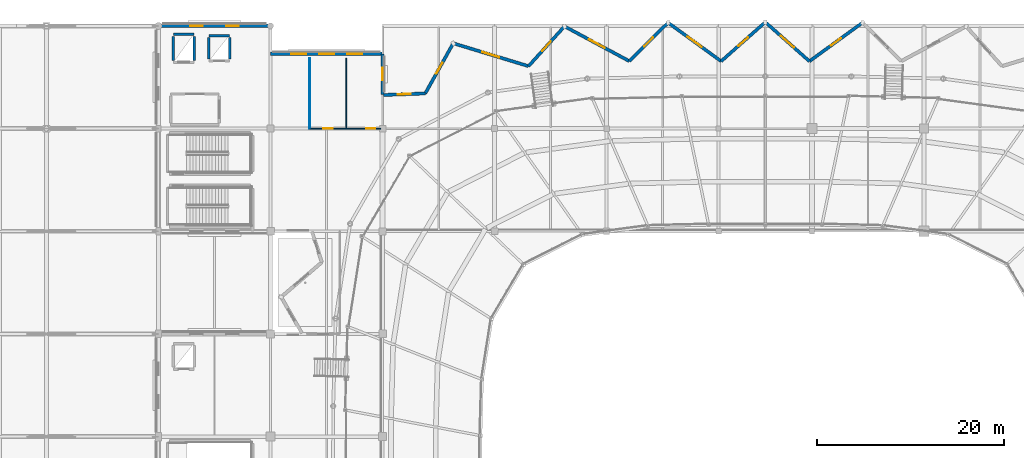
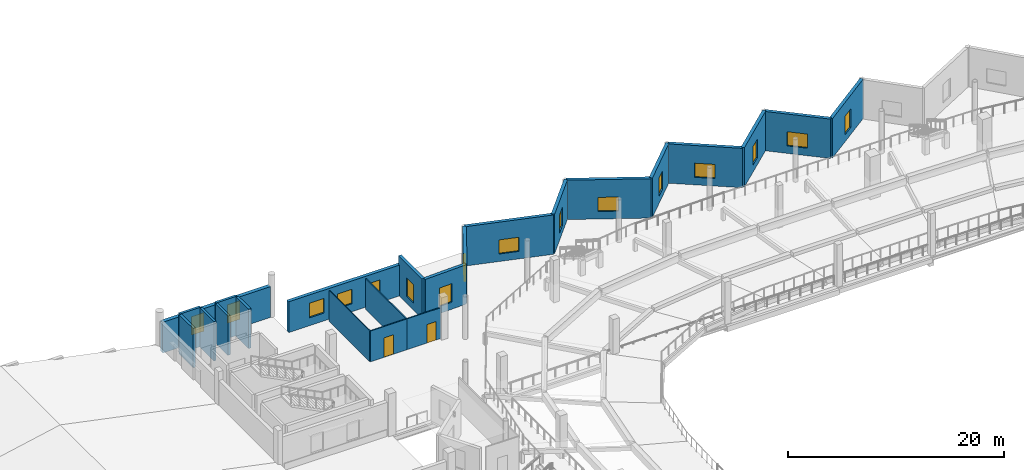
# One storey, part 55 of 77: 23 walls, 16 windows, 2 doors, 18 openings.
"""IFC4 building model written with IfcOpenShell, lengths in metres."""

from ifc_helpers import new_model, si_unit, direction, frame, frame_2d, origin, place, context, subcontext, project, spatial, rectangle, extrude, material, layer, layer_set, type_object, element, fill, save


model = new_model("IFC4")

# Units and contexts
model_context = context("Model", 3, precision=1e-05, world=origin(), true_north=direction((0.0, 1.0)))
body_context = subcontext(model_context, "Body", "Model", "MODEL_VIEW")
ifc_project = project(units=[si_unit("LENGTHUNIT", "METRE"), si_unit("AREAUNIT", "SQUARE_METRE"), si_unit("VOLUMEUNIT", "CUBIC_METRE"), si_unit("PLANEANGLEUNIT", "RADIAN"), si_unit("MASSUNIT", "GRAM", prefix="KILO")], contexts=[model_context])

# Site, building, storey
site_placement = place(None, origin())
site = spatial("IfcSite", under=ifc_project, at=site_placement, CompositionType="ELEMENT")
building_placement = place(site_placement, origin())
building = spatial("IfcBuilding", under=site, at=building_placement, Name="Luwafu Chhajja Arena", CompositionType="ELEMENT")
storey_placement = place(building_placement, frame((0.0, 0.0, 14.699951171875)))
storey = spatial("IfcBuildingStorey", under=building, at=storey_placement, Name="L03", CompositionType="ELEMENT", Elevation=14.699951171875)

# Wall
ifc_material_1 = material(Name="Gypsum plasterboard partition")
ifc_layer_1 = layer(ifc_material_1, 0.10009765625, Name="Gypsum plasterboard partition")
ifc_layer_set_1 = layer_set([ifc_layer_1], Name="Gypsum plasterboard partition")
wall_type_1 = type_object("IfcWallType", Name="Drywall Lining Partition 100", PredefinedType="PARTITIONING", material=ifc_layer_set_1)
wall_1_placement = place(storey_placement, frame((50.199951171875, 88.0, 0.0), z_axis=(0.0, 0.0, 1.0), x_axis=(0.0, 1.0, 0.0)))
element("IfcWall", 1, at=wall_1_placement, inside=storey, type_object=wall_type_1, Name="L03 Internal Partition 0296", PredefinedType="PARTITIONING", context=body_context, shape_type="SweptSolid", body=[
    extrude(rectangle(XDim=7.52001953125, YDim=0.10009765625, at=frame_2d((3.760009765625, 0.0))), origin(), (0.0, 0.0, 1.0), 3.489990234375),
])

# Wall, opening, door
ifc_material_2 = material(Name="Acoustic metal-stud gypsum board")
ifc_layer_2 = layer(ifc_material_2, 0.1201171875, Name="Acoustic metal-stud gypsum board")
ifc_layer_set_2 = layer_set([ifc_layer_2], Name="Acoustic metal-stud gypsum board")
wall_type_2 = type_object("IfcWallType", Name="Internal Room Partition 120", PredefinedType="PARTITIONING", material=ifc_layer_set_2)
wall_2_placement = place(storey_placement, frame((50.199951171875, 88.0, 0.0), z_axis=(0.0, 0.0, 1.0), x_axis=(1.0, 0.0, 0.0)))
wall_2 = element("IfcWall", 2, at=wall_2_placement, inside=storey, type_object=wall_type_2, Name="L03 Internal Partition 0294", PredefinedType="PARTITIONING", context=body_context, shape_type="SweptSolid", body=[
    extrude(rectangle(XDim=3.900146484375, YDim=0.1201171875, at=frame_2d((1.9501953125, 0.0))), origin(), (0.0, 0.0, 1.0), 3.489990234375),
])
opening_1_placement = place(wall_2_placement, frame((1.429931640625, 0.0, 0.0)))
opening_1 = element("IfcOpeningElement", 3, at=opening_1_placement, cuts=wall_2, Name="Opening DR-24", PredefinedType="OPENING", context=body_context, shape_type="SweptSolid", body=[
    extrude(rectangle(XDim=1.0400390625, YDim=2.199951171875, at=frame_2d((0.52001953125, 1.10009765625))), frame((0.0, 0.070068359375, 0.0), z_axis=(0.0, -1.0, 0.0), x_axis=(1.0, 0.0, 0.0)), (0.0, 0.0, 1.0), 0.14013671875),
])
ifc_material_3 = material(Name="Hardwood flush classroom door", Category="wood")
door_type_1 = type_object("IfcDoorType", Name="DR-24", OperationType="NOTDEFINED", PredefinedType="DOOR", material=ifc_material_3)
door_1_placement = place(opening_1_placement, origin())
door_1 = element("IfcDoor", 4, at=door_1_placement, inside=storey, type_object=door_type_1, Name="L03 Interior Door L03-D022", OperationType="SINGLE_SWING_RIGHT", OverallHeight=2.199951171875, OverallWidth=1.0400390625, PredefinedType="DOOR", context=body_context, shape_type="SweptSolid", body=[
    extrude(rectangle(XDim=1.0400390625, YDim=2.199951171875, at=frame_2d((0.52001953125, 1.10009765625))), frame((0.0, 0.02490234375, 0.0), z_axis=(0.0, -1.0, 0.0), x_axis=(1.0, 0.0, 0.0)), (0.0, 0.0, 1.0), 0.050048828125),
])
fill(opening_1, door_1)

wall_3_placement = place(storey_placement, frame((54.10009765625, 88.0, 0.0), z_axis=(0.0, 0.0, 1.0), x_axis=(1.0, 0.0, 0.0)))
wall_3 = element("IfcWall", 5, at=wall_3_placement, inside=storey, type_object=wall_type_2, Name="L03 Internal Partition 0295", PredefinedType="PARTITIONING", context=body_context, shape_type="SweptSolid", body=[
    extrude(rectangle(XDim=3.679931640625, YDim=0.1201171875, at=frame_2d((1.83984375, 0.0))), origin(), (0.0, 0.0, 1.0), 3.489990234375),
])
opening_2_placement = place(wall_3_placement, frame((2.15966796875, 0.0, 0.0)))
opening_2 = element("IfcOpeningElement", 6, at=opening_2_placement, cuts=wall_3, Name="Opening DR-27", PredefinedType="OPENING", context=body_context, shape_type="SweptSolid", body=[
    extrude(rectangle(XDim=0.97998046875, YDim=2.10009765625, at=frame_2d((0.489990234375, 1.050048828125))), frame((0.0, 0.070068359375, 0.0), z_axis=(0.0, -1.0, 0.0), x_axis=(1.0, 0.0, 0.0)), (0.0, 0.0, 1.0), 0.14013671875),
])
ifc_material_4 = material(Name="Moisture-resistant laminate leaf")
door_type_2 = type_object("IfcDoorType", Name="DR-27", OperationType="NOTDEFINED", PredefinedType="DOOR", material=ifc_material_4)
door_2_placement = place(opening_2_placement, origin())
door_2 = element("IfcDoor", 7, at=door_2_placement, inside=storey, type_object=door_type_2, Name="L03 Interior Door L03-D023", OperationType="SINGLE_SWING_LEFT", OverallHeight=2.10009765625, OverallWidth=0.97998046875, PredefinedType="DOOR", context=body_context, shape_type="SweptSolid", body=[
    extrude(rectangle(XDim=0.97998046875, YDim=2.10009765625, at=frame_2d((0.489990234375, 1.050048828125))), frame((0.0, 0.02490234375, 0.0), z_axis=(0.0, -1.0, 0.0), x_axis=(1.0, 0.0, 0.0)), (0.0, 0.0, 1.0), 0.050048828125),
])
fill(opening_2, door_2)

# Walls
wall_4_placement = place(storey_placement, frame((54.10009765625, 88.0, 0.0), z_axis=(0.0, 0.0, 1.0), x_axis=(0.0, 1.0, 0.0)))
element("IfcWall", 8, at=wall_4_placement, inside=storey, type_object=wall_type_2, Name="L03 Internal Partition 0301", PredefinedType="PARTITIONING", context=body_context, shape_type="SweptSolid", body=[
    extrude(rectangle(XDim=7.52001953125, YDim=0.1201171875, at=frame_2d((3.760009765625, 0.0))), origin(), (0.0, 0.0, 1.0), 3.489990234375),
])
ifc_material_5 = material(Name="Concrete C35/45", Category="concrete")
ifc_layer_3 = layer(ifc_material_5, 0.260009765625, Name="Concrete C35/45")
ifc_layer_set_3 = layer_set([ifc_layer_3], Name="Concrete C35/45")
wall_type_3 = type_object("IfcWallType", Name="Lift and Riser Shaft Wall 260", PredefinedType="SOLIDWALL", material=ifc_layer_set_3)
wall_5_placement = place(storey_placement, frame((35.590087890625, 98.0849609375, 0.0), z_axis=(0.0, 0.0, 1.0), x_axis=(1.0, 0.0, 0.0)))
element("IfcWall", 9, at=wall_5_placement, inside=storey, type_object=wall_type_3, Name="L03 Lift LF-03 Shaft Wall N", PredefinedType="SOLIDWALL", context=body_context, shape_type="SweptSolid", body=[
    extrude(rectangle(XDim=2.219970703125, YDim=0.260009765625, at=frame_2d((1.10986328125, 0.0))), origin(), (0.0, 0.0, 1.0), 4.4599609375),
])
for number, where, z_axis, x_axis, name in (
    (10, (35.590087890625, 95.31494140625, 0.0), (0.0, 0.0, 1.0), (0.0, 1.0, 0.0), "L03 Lift LF-03 Shaft Wall W"),
    (11, (37.81005859375, 95.31494140625, 0.0), (0.0, 0.0, 1.0), (0.0, 1.0, 0.0), "L03 Lift LF-03 Shaft Wall E"),
):
    element("IfcWall", number, at=place(storey_placement, frame(where, z_axis=z_axis, x_axis=x_axis)), inside=storey, type_object=wall_type_3, Name=name, PredefinedType="SOLIDWALL", context=body_context, shape_type="SweptSolid", body=[
        extrude(rectangle(XDim=2.570068359375, YDim=0.260009765625, at=frame_2d((1.28515625, 0.0))), origin(), (0.0, 0.0, 1.0), 4.4599609375),
    ])
wall_6_placement = place(storey_placement, frame((39.389892578125, 97.9599609375, 0.0), z_axis=(0.0, 0.0, 1.0), x_axis=(1.0, 0.0, 0.0)))
element("IfcWall", 12, at=wall_6_placement, inside=storey, type_object=wall_type_3, Name="L03 Lift LF-07 Shaft Wall N", PredefinedType="SOLIDWALL", context=body_context, shape_type="SweptSolid", body=[
    extrude(rectangle(XDim=2.22021484375, YDim=0.260009765625, at=frame_2d((1.110107421875, 0.0))), origin(), (0.0, 0.0, 1.0), 4.4599609375),
])
for number, where, z_axis, x_axis, name in (
    (13, (39.389892578125, 95.43994140625, 0.0), (0.0, 0.0, 1.0), (0.0, 1.0, 0.0), "L03 Lift LF-07 Shaft Wall W"),
    (14, (41.610107421875, 95.43994140625, 0.0), (0.0, 0.0, 1.0), (0.0, 1.0, 0.0), "L03 Lift LF-07 Shaft Wall E"),
):
    element("IfcWall", number, at=place(storey_placement, frame(where, z_axis=z_axis, x_axis=x_axis)), inside=storey, type_object=wall_type_3, Name=name, PredefinedType="SOLIDWALL", context=body_context, shape_type="SweptSolid", body=[
        extrude(rectangle(XDim=2.320068359375, YDim=0.260009765625, at=frame_2d((1.16015625, 0.0))), origin(), (0.0, 0.0, 1.0), 4.4599609375),
    ])

# Wall, opening, window
ifc_material_6 = material(Name="Precast concrete C40/50", Category="concrete")
ifc_layer_4 = layer(ifc_material_6, 0.340087890625, Name="Precast concrete C40/50")
ifc_layer_set_4 = layer_set([ifc_layer_4], Name="Precast concrete C40/50")
wall_type_4 = type_object("IfcWallType", Name="Pleated Bowl V-Fold Wall 340", PredefinedType="USERDEFINED", material=ifc_layer_set_4)
wall_7_placement = place(storey_placement, frame((109.412109375, 99.3427734375, 0.0), z_axis=(0.0, 0.0, 1.0), x_axis=(-0.808841233488, -0.588027090371, 0.0)))
wall_7 = element("IfcWall", 15, at=wall_7_placement, inside=storey, type_object=wall_type_4, Name="L03 Pleated Bowl V-Fold Wall 15", ObjectType="PLEATED FACADE WALL", PredefinedType="USERDEFINED", context=body_context, shape_type="SweptSolid", body=[
    extrude(rectangle(XDim=7.02734375, YDim=0.340087890625, at=frame_2d((3.513671875, 0.0))), origin(), (0.0, 0.0, 1.0), 4.455078125),
])
opening_3_placement = place(wall_7_placement, frame((2.838623046875, 0.0, 0.800048828125)))
opening_3 = element("IfcOpeningElement", 16, at=opening_3_placement, cuts=wall_7, Name="Opening WN-17", PredefinedType="OPENING", context=body_context, shape_type="SweptSolid", body=[
    extrude(rectangle(XDim=1.35009765625, YDim=2.10009765625, at=frame_2d((0.675048828125, 1.050048828125))), frame((0.0, 0.179931640625, 0.0), z_axis=(0.0, -1.0, 0.0), x_axis=(1.0, 0.0, 0.0)), (0.0, 0.0, 1.0), 0.360107421875),
])
ifc_material_7 = material(Name="Solar-control laminated glass", Category="glass")
window_type_1 = type_object("IfcWindowType", Name="Exhibition Mezzanine Lancet Window 1350x2100", PartitioningType="SINGLE_PANEL", PredefinedType="WINDOW", material=ifc_material_7)
window_1_placement = place(opening_3_placement, origin())
window_1 = element("IfcWindow", 17, at=window_1_placement, inside=storey, type_object=window_type_1, Name="L03 Pleated Bowl Lancet Window 044", OverallHeight=2.10009765625, OverallWidth=1.35009765625, PartitioningType="SINGLE_PANEL", PredefinedType="WINDOW", context=body_context, shape_type="SweptSolid", body=[
    extrude(rectangle(XDim=1.35009765625, YDim=2.10009765625, at=frame_2d((0.675048828125, 1.050048828125))), frame((0.0, 0.030029296875, 0.0), z_axis=(0.0, -1.0, 0.0), x_axis=(1.0, 0.0, 0.0)), (0.0, 0.0, 1.0), 0.06005859375),
])
fill(opening_3, window_1)

wall_8_placement = place(storey_placement, frame((103.72802734375, 95.21044921875, 0.0), z_axis=(0.0, 0.0, 1.0), x_axis=(-0.74844895461, 0.663192402205, 0.0)))
wall_8 = element("IfcWall", 18, at=wall_8_placement, inside=storey, type_object=wall_type_4, Name="L03 Pleated Bowl V-Fold Wall 16", ObjectType="PLEATED FACADE WALL", PredefinedType="USERDEFINED", context=body_context, shape_type="SweptSolid", body=[
    extrude(rectangle(XDim=6.317138671875, YDim=0.340087890625, at=frame_2d((3.15869140625, 0.0))), origin(), (0.0, 0.0, 1.0), 4.455078125),
])
opening_4_placement = place(wall_8_placement, frame((2.20849609375, 0.0, 0.85009765625)))
opening_4 = element("IfcOpeningElement", 19, at=opening_4_placement, cuts=wall_8, Name="Opening WN-15", PredefinedType="OPENING", context=body_context, shape_type="SweptSolid", body=[
    extrude(rectangle(XDim=1.89990234375, YDim=1.60009765625, at=frame_2d((0.949951171875, 0.800048828125))), frame((0.0, 0.179931640625, 0.0), z_axis=(0.0, -1.0, 0.0), x_axis=(1.0, 0.0, 0.0)), (0.0, 0.0, 1.0), 0.360107421875),
])
window_type_2 = type_object("IfcWindowType", Name="Pleated Drum Inward-Fold Clerestory 1900x1600", PartitioningType="SINGLE_PANEL", PredefinedType="WINDOW", material=ifc_material_7)
window_2_placement = place(opening_4_placement, origin())
window_2 = element("IfcWindow", 20, at=window_2_placement, inside=storey, type_object=window_type_2, Name="L03 Pleated Bowl Lancet Window 045", OverallHeight=1.60009765625, OverallWidth=1.89990234375, PartitioningType="SINGLE_PANEL", PredefinedType="WINDOW", context=body_context, shape_type="SweptSolid", body=[
    extrude(rectangle(XDim=1.89990234375, YDim=1.60009765625, at=frame_2d((0.949951171875, 0.800048828125))), frame((0.0, 0.030029296875, 0.0), z_axis=(0.0, -1.0, 0.0), x_axis=(1.0, 0.0, 0.0)), (0.0, 0.0, 1.0), 0.06005859375),
])
fill(opening_4, window_2)

wall_9_placement = place(storey_placement, frame((99.0, 99.39990234375, 0.0), z_axis=(0.0, 0.0, 1.0), x_axis=(-0.74844895461, -0.663192402205, 0.0)))
wall_9 = element("IfcWall", 21, at=wall_9_placement, inside=storey, type_object=wall_type_4, Name="L03 Pleated Bowl V-Fold Wall 17", ObjectType="PLEATED FACADE WALL", PredefinedType="USERDEFINED", context=body_context, shape_type="SweptSolid", body=[
    extrude(rectangle(XDim=6.317138671875, YDim=0.340087890625, at=frame_2d((3.15869140625, 0.0))), origin(), (0.0, 0.0, 1.0), 4.455078125),
])
opening_5_placement = place(wall_9_placement, frame((2.483642578125, 0.0, 0.800048828125)))
opening_5 = element("IfcOpeningElement", 22, at=opening_5_placement, cuts=wall_9, Name="Opening WN-17", PredefinedType="OPENING", context=body_context, shape_type="SweptSolid", body=[
    extrude(rectangle(XDim=1.35009765625, YDim=2.10009765625, at=frame_2d((0.675048828125, 1.050048828125))), frame((0.0, 0.179931640625, 0.0), z_axis=(0.0, -1.0, 0.0), x_axis=(1.0, 0.0, 0.0)), (0.0, 0.0, 1.0), 0.360107421875),
])
window_3_placement = place(opening_5_placement, origin())
window_3 = element("IfcWindow", 23, at=window_3_placement, inside=storey, type_object=window_type_1, Name="L03 Pleated Bowl Lancet Window 046", OverallHeight=2.10009765625, OverallWidth=1.35009765625, PartitioningType="SINGLE_PANEL", PredefinedType="WINDOW", context=body_context, shape_type="SweptSolid", body=[
    extrude(rectangle(XDim=1.35009765625, YDim=2.10009765625, at=frame_2d((0.675048828125, 1.050048828125))), frame((0.0, 0.030029296875, 0.0), z_axis=(0.0, -1.0, 0.0), x_axis=(1.0, 0.0, 0.0)), (0.0, 0.0, 1.0), 0.06005859375),
])
fill(opening_5, window_3)

wall_10_placement = place(storey_placement, frame((94.27197265625, 95.21044921875, 0.0), z_axis=(0.0, 0.0, 1.0), x_axis=(-0.808841233488, 0.588027090371, 0.0)))
wall_10 = element("IfcWall", 24, at=wall_10_placement, inside=storey, type_object=wall_type_4, Name="L03 Pleated Bowl V-Fold Wall 18", ObjectType="PLEATED FACADE WALL", PredefinedType="USERDEFINED", context=body_context, shape_type="SweptSolid", body=[
    extrude(rectangle(XDim=7.02734375, YDim=0.340087890625, at=frame_2d((3.513671875, 0.0))), origin(), (0.0, 0.0, 1.0), 4.455078125),
])
opening_6_placement = place(wall_10_placement, frame((2.563720703125, 0.0, 0.85009765625)))
opening_6 = element("IfcOpeningElement", 25, at=opening_6_placement, cuts=wall_10, Name="Opening WN-15", PredefinedType="OPENING", context=body_context, shape_type="SweptSolid", body=[
    extrude(rectangle(XDim=1.89990234375, YDim=1.60009765625, at=frame_2d((0.949951171875, 0.800048828125))), frame((0.0, 0.179931640625, 0.0), z_axis=(0.0, -1.0, 0.0), x_axis=(1.0, 0.0, 0.0)), (0.0, 0.0, 1.0), 0.360107421875),
])
window_4_placement = place(opening_6_placement, origin())
window_4 = element("IfcWindow", 26, at=window_4_placement, inside=storey, type_object=window_type_2, Name="L03 Pleated Bowl Lancet Window 047", OverallHeight=1.60009765625, OverallWidth=1.89990234375, PartitioningType="SINGLE_PANEL", PredefinedType="WINDOW", context=body_context, shape_type="SweptSolid", body=[
    extrude(rectangle(XDim=1.89990234375, YDim=1.60009765625, at=frame_2d((0.949951171875, 0.800048828125))), frame((0.0, 0.030029296875, 0.0), z_axis=(0.0, -1.0, 0.0), x_axis=(1.0, 0.0, 0.0)), (0.0, 0.0, 1.0), 0.06005859375),
])
fill(opening_6, window_4)

wall_11_placement = place(storey_placement, frame((88.587890625, 99.3427734375, 0.0), z_axis=(0.0, 0.0, 1.0), x_axis=(-0.710084208502, -0.704116763638, 0.0)))
wall_11 = element("IfcWall", 27, at=wall_11_placement, inside=storey, type_object=wall_type_4, Name="L03 Pleated Bowl V-Fold Wall 19", ObjectType="PLEATED FACADE WALL", PredefinedType="USERDEFINED", context=body_context, shape_type="SweptSolid", body=[
    extrude(rectangle(XDim=5.850341796875, YDim=0.340087890625, at=frame_2d((2.92529296875, 0.0))), origin(), (0.0, 0.0, 1.0), 4.455078125),
])
opening_7_placement = place(wall_11_placement, frame((2.250244140625, 0.0, 0.800048828125)))
opening_7 = element("IfcOpeningElement", 28, at=opening_7_placement, cuts=wall_11, Name="Opening WN-17", PredefinedType="OPENING", context=body_context, shape_type="SweptSolid", body=[
    extrude(rectangle(XDim=1.35009765625, YDim=2.10009765625, at=frame_2d((0.675048828125, 1.050048828125))), frame((0.0, 0.179931640625, 0.0), z_axis=(0.0, -1.0, 0.0), x_axis=(1.0, 0.0, 0.0)), (0.0, 0.0, 1.0), 0.360107421875),
])
window_5_placement = place(opening_7_placement, origin())
window_5 = element("IfcWindow", 29, at=window_5_placement, inside=storey, type_object=window_type_1, Name="L03 Pleated Bowl Lancet Window 048", OverallHeight=2.10009765625, OverallWidth=1.35009765625, PartitioningType="SINGLE_PANEL", PredefinedType="WINDOW", context=body_context, shape_type="SweptSolid", body=[
    extrude(rectangle(XDim=1.35009765625, YDim=2.10009765625, at=frame_2d((0.675048828125, 1.050048828125))), frame((0.0, 0.030029296875, 0.0), z_axis=(0.0, -1.0, 0.0), x_axis=(1.0, 0.0, 0.0)), (0.0, 0.0, 1.0), 0.06005859375),
])
fill(opening_7, window_5)

wall_12_placement = place(storey_placement, frame((84.43359375, 95.223388671875, 0.0), z_axis=(0.0, 0.0, 1.0), x_axis=(-0.881201188687, 0.472741435731, 0.0)))
wall_12 = element("IfcWall", 30, at=wall_12_placement, inside=storey, type_object=wall_type_4, Name="L03 Pleated Bowl V-Fold Wall 20", ObjectType="PLEATED FACADE WALL", PredefinedType="USERDEFINED", context=body_context, shape_type="SweptSolid", body=[
    extrude(rectangle(XDim=7.880859375, YDim=0.340087890625, at=frame_2d((3.9404296875, 0.0))), origin(), (0.0, 0.0, 1.0), 4.455078125),
])
opening_8_placement = place(wall_12_placement, frame((2.990234375, 0.0, 0.85009765625)))
opening_8 = element("IfcOpeningElement", 31, at=opening_8_placement, cuts=wall_12, Name="Opening WN-15", PredefinedType="OPENING", context=body_context, shape_type="SweptSolid", body=[
    extrude(rectangle(XDim=1.89990234375, YDim=1.60009765625, at=frame_2d((0.949951171875, 0.800048828125))), frame((0.0, 0.179931640625, 0.0), z_axis=(0.0, -1.0, 0.0), x_axis=(1.0, 0.0, 0.0)), (0.0, 0.0, 1.0), 0.360107421875),
])
window_6_placement = place(opening_8_placement, origin())
window_6 = element("IfcWindow", 32, at=window_6_placement, inside=storey, type_object=window_type_2, Name="L03 Pleated Bowl Lancet Window 049", OverallHeight=1.60009765625, OverallWidth=1.89990234375, PartitioningType="SINGLE_PANEL", PredefinedType="WINDOW", context=body_context, shape_type="SweptSolid", body=[
    extrude(rectangle(XDim=1.89990234375, YDim=1.60009765625, at=frame_2d((0.949951171875, 0.800048828125))), frame((0.0, 0.030029296875, 0.0), z_axis=(0.0, -1.0, 0.0), x_axis=(1.0, 0.0, 0.0)), (0.0, 0.0, 1.0), 0.06005859375),
])
fill(opening_8, window_6)

wall_13_placement = place(storey_placement, frame((77.489013671875, 98.948974609375, 0.0), z_axis=(0.0, 0.0, 1.0), x_axis=(-0.670348131104, -0.742046752654, 0.0)))
wall_13 = element("IfcWall", 33, at=wall_13_placement, inside=storey, type_object=wall_type_4, Name="L03 Pleated Bowl V-Fold Wall 21", ObjectType="PLEATED FACADE WALL", PredefinedType="USERDEFINED", context=body_context, shape_type="SweptSolid", body=[
    extrude(rectangle(XDim=5.747802734375, YDim=0.340087890625, at=frame_2d((2.8740234375, 0.0))), origin(), (0.0, 0.0, 1.0), 4.455078125),
])
opening_9_placement = place(wall_13_placement, frame((2.198974609375, 0.0, 0.800048828125)))
opening_9 = element("IfcOpeningElement", 34, at=opening_9_placement, cuts=wall_13, Name="Opening WN-17", PredefinedType="OPENING", context=body_context, shape_type="SweptSolid", body=[
    extrude(rectangle(XDim=1.35009765625, YDim=2.10009765625, at=frame_2d((0.675048828125, 1.050048828125))), frame((0.0, 0.179931640625, 0.0), z_axis=(0.0, -1.0, 0.0), x_axis=(1.0, 0.0, 0.0)), (0.0, 0.0, 1.0), 0.360107421875),
])
window_7_placement = place(opening_9_placement, origin())
window_7 = element("IfcWindow", 35, at=window_7_placement, inside=storey, type_object=window_type_1, Name="L03 Pleated Bowl Lancet Window 050", OverallHeight=2.10009765625, OverallWidth=1.35009765625, PartitioningType="SINGLE_PANEL", PredefinedType="WINDOW", context=body_context, shape_type="SweptSolid", body=[
    extrude(rectangle(XDim=1.35009765625, YDim=2.10009765625, at=frame_2d((0.675048828125, 1.050048828125))), frame((0.0, 0.030029296875, 0.0), z_axis=(0.0, -1.0, 0.0), x_axis=(1.0, 0.0, 0.0)), (0.0, 0.0, 1.0), 0.06005859375),
])
fill(opening_9, window_7)

wall_14_placement = place(storey_placement, frame((73.635986328125, 94.683837890625, 0.0), z_axis=(0.0, 0.0, 1.0), x_axis=(-0.956738407321, 0.290949514446, 0.0)))
wall_14 = element("IfcWall", 36, at=wall_14_placement, inside=storey, type_object=wall_type_4, Name="L03 Pleated Bowl V-Fold Wall 22", ObjectType="PLEATED FACADE WALL", PredefinedType="USERDEFINED", context=body_context, shape_type="SweptSolid", body=[
    extrude(rectangle(XDim=8.427978515625, YDim=0.340087890625, at=frame_2d((4.2138671875, 0.0))), origin(), (0.0, 0.0, 1.0), 4.455078125),
])
opening_10_placement = place(wall_14_placement, frame((3.263916015625, 0.0, 0.85009765625)))
opening_10 = element("IfcOpeningElement", 37, at=opening_10_placement, cuts=wall_14, Name="Opening WN-15", PredefinedType="OPENING", context=body_context, shape_type="SweptSolid", body=[
    extrude(rectangle(XDim=1.89990234375, YDim=1.60009765625, at=frame_2d((0.949951171875, 0.800048828125))), frame((0.0, 0.179931640625, 0.0), z_axis=(0.0, -1.0, 0.0), x_axis=(1.0, 0.0, 0.0)), (0.0, 0.0, 1.0), 0.360107421875),
])
window_8_placement = place(opening_10_placement, origin())
window_8 = element("IfcWindow", 38, at=window_8_placement, inside=storey, type_object=window_type_2, Name="L03 Pleated Bowl Lancet Window 051", OverallHeight=1.60009765625, OverallWidth=1.89990234375, PartitioningType="SINGLE_PANEL", PredefinedType="WINDOW", context=body_context, shape_type="SweptSolid", body=[
    extrude(rectangle(XDim=1.89990234375, YDim=1.60009765625, at=frame_2d((0.949951171875, 0.800048828125))), frame((0.0, 0.030029296875, 0.0), z_axis=(0.0, -1.0, 0.0), x_axis=(1.0, 0.0, 0.0)), (0.0, 0.0, 1.0), 0.06005859375),
])
fill(opening_10, window_8)

wall_15_placement = place(storey_placement, frame((65.572509765625, 97.135986328125, 0.0), z_axis=(0.0, 0.0, 1.0), x_axis=(-0.487306352228, -0.87323108, 0.0)))
wall_15 = element("IfcWall", 39, at=wall_15_placement, inside=storey, type_object=wall_type_4, Name="L03 Pleated Bowl V-Fold Wall 23", ObjectType="PLEATED FACADE WALL", PredefinedType="USERDEFINED", context=body_context, shape_type="SweptSolid", body=[
    extrude(rectangle(XDim=6.15283203125, YDim=0.340087890625, at=frame_2d((3.076416015625, 0.0))), origin(), (0.0, 0.0, 1.0), 4.455078125),
])
opening_11_placement = place(wall_15_placement, frame((2.401611328125, 0.0, 0.800048828125)))
opening_11 = element("IfcOpeningElement", 40, at=opening_11_placement, cuts=wall_15, Name="Opening WN-17", PredefinedType="OPENING", context=body_context, shape_type="SweptSolid", body=[
    extrude(rectangle(XDim=1.35009765625, YDim=2.10009765625, at=frame_2d((0.675048828125, 1.050048828125))), frame((0.0, 0.179931640625, 0.0), z_axis=(0.0, -1.0, 0.0), x_axis=(1.0, 0.0, 0.0)), (0.0, 0.0, 1.0), 0.360107421875),
])
window_9_placement = place(opening_11_placement, origin())
window_9 = element("IfcWindow", 41, at=window_9_placement, inside=storey, type_object=window_type_1, Name="L03 Pleated Bowl Lancet Window 052", OverallHeight=2.10009765625, OverallWidth=1.35009765625, PartitioningType="SINGLE_PANEL", PredefinedType="WINDOW", context=body_context, shape_type="SweptSolid", body=[
    extrude(rectangle(XDim=1.35009765625, YDim=2.10009765625, at=frame_2d((0.675048828125, 1.050048828125))), frame((0.0, 0.030029296875, 0.0), z_axis=(0.0, -1.0, 0.0), x_axis=(1.0, 0.0, 0.0)), (0.0, 0.0, 1.0), 0.06005859375),
])
fill(opening_11, window_9)

wall_16_placement = place(storey_placement, frame((62.57421875, 91.76318359375, 0.0), z_axis=(0.0, 0.0, 1.0), x_axis=(-0.999296191983, -0.037511607381, 0.0)))
wall_16 = element("IfcWall", 42, at=wall_16_placement, inside=storey, type_object=wall_type_4, Name="L03 Pleated Bowl V-Fold Wall 24", ObjectType="PLEATED FACADE WALL", PredefinedType="USERDEFINED", context=body_context, shape_type="SweptSolid", body=[
    extrude(rectangle(XDim=4.497314453125, YDim=0.340087890625, at=frame_2d((2.24853515625, 0.0))), origin(), (0.0, 0.0, 1.0), 4.455078125),
])
opening_12_placement = place(wall_16_placement, frame((1.573486328125, 0.0, 0.800048828125)))
opening_12 = element("IfcOpeningElement", 43, at=opening_12_placement, cuts=wall_16, Name="Opening WN-17", PredefinedType="OPENING", context=body_context, shape_type="SweptSolid", body=[
    extrude(rectangle(XDim=1.35009765625, YDim=2.10009765625, at=frame_2d((0.675048828125, 1.050048828125))), frame((0.0, 0.179931640625, 0.0), z_axis=(0.0, -1.0, 0.0), x_axis=(1.0, 0.0, 0.0)), (0.0, 0.0, 1.0), 0.360107421875),
])
window_10_placement = place(opening_12_placement, origin())
window_10 = element("IfcWindow", 44, at=window_10_placement, inside=storey, type_object=window_type_1, Name="L03 Pleated Bowl Lancet Window 053", OverallHeight=2.10009765625, OverallWidth=1.35009765625, PartitioningType="SINGLE_PANEL", PredefinedType="WINDOW", context=body_context, shape_type="SweptSolid", body=[
    extrude(rectangle(XDim=1.35009765625, YDim=2.10009765625, at=frame_2d((0.675048828125, 1.050048828125))), frame((0.0, 0.030029296875, 0.0), z_axis=(0.0, -1.0, 0.0), x_axis=(1.0, 0.0, 0.0)), (0.0, 0.0, 1.0), 0.06005859375),
])
fill(opening_12, window_10)

# Wall, openings, windows
ifc_material_8 = material(Name="Concrete C40/50", Category="concrete")
ifc_layer_5 = layer(ifc_material_8, 0.39990234375, Name="Concrete C40/50")
ifc_layer_set_5 = layer_set([ifc_layer_5], Name="Concrete C40/50")
wall_type_5 = type_object("IfcWallType", Name="RC Core Shear Wall 400", PredefinedType="SOLIDWALL", material=ifc_layer_set_5)
wall_17_placement = place(storey_placement, frame((34.219970703125, 99.0, 0.0), z_axis=(0.0, 0.0, 1.0), x_axis=(1.0, 0.0, 0.0)))
wall_17 = element("IfcWall", 45, at=wall_17_placement, inside=storey, type_object=wall_type_5, Name="L03 Exterior Wall WEX-L03-190", PredefinedType="SOLIDWALL", context=body_context, shape_type="SweptSolid", body=[
    extrude(rectangle(XDim=11.56005859375, YDim=0.39990234375, at=frame_2d((5.780029296875, 0.0))), origin(), (0.0, 0.0, 1.0), 3.489990234375),
])
opening_13_placement = place(wall_17_placement, frame((3.17822265625, 0.0, 0.800048828125)))
opening_13 = element("IfcOpeningElement", 46, at=opening_13_placement, cuts=wall_17, Name="Opening WN-17", PredefinedType="OPENING", context=body_context, shape_type="SweptSolid", body=[
    extrude(rectangle(XDim=1.35009765625, YDim=2.10009765625, at=frame_2d((0.675048828125, 1.050048828125))), frame((0.0, 0.2099609375, 0.0), z_axis=(0.0, -1.0, 0.0), x_axis=(1.0, 0.0, 0.0)), (0.0, 0.0, 1.0), 0.419921875),
])
opening_14_placement = place(wall_17_placement, frame((7.03173828125, 0.0, 0.800048828125)))
opening_14 = element("IfcOpeningElement", 47, at=opening_14_placement, cuts=wall_17, Name="Opening WN-17", PredefinedType="OPENING", context=body_context, shape_type="SweptSolid", body=[
    extrude(rectangle(XDim=1.35009765625, YDim=2.10009765625, at=frame_2d((0.675048828125, 1.050048828125))), frame((0.0, 0.2099609375, 0.0), z_axis=(0.0, -1.0, 0.0), x_axis=(1.0, 0.0, 0.0)), (0.0, 0.0, 1.0), 0.419921875),
])
window_11_placement = place(opening_13_placement, origin())
window_11 = element("IfcWindow", 48, at=window_11_placement, inside=storey, type_object=window_type_1, Name="L03 Facade Window 134", OverallHeight=2.10009765625, OverallWidth=1.35009765625, PartitioningType="SINGLE_PANEL", PredefinedType="WINDOW", context=body_context, shape_type="SweptSolid", body=[
    extrude(rectangle(XDim=1.35009765625, YDim=2.10009765625, at=frame_2d((0.675048828125, 1.050048828125))), frame((0.0, 0.030029296875, 0.0), z_axis=(0.0, -1.0, 0.0), x_axis=(1.0, 0.0, 0.0)), (0.0, 0.0, 1.0), 0.06005859375),
])
fill(opening_13, window_11)
window_12_placement = place(opening_14_placement, origin())
window_12 = element("IfcWindow", 49, at=window_12_placement, inside=storey, type_object=window_type_1, Name="L03 Facade Window 135", OverallHeight=2.10009765625, OverallWidth=1.35009765625, PartitioningType="SINGLE_PANEL", PredefinedType="WINDOW", context=body_context, shape_type="SweptSolid", body=[
    extrude(rectangle(XDim=1.35009765625, YDim=2.10009765625, at=frame_2d((0.675048828125, 1.050048828125))), frame((0.0, 0.030029296875, 0.0), z_axis=(0.0, -1.0, 0.0), x_axis=(1.0, 0.0, 0.0)), (0.0, 0.0, 1.0), 0.06005859375),
])
fill(opening_14, window_12)

# Wall, opening, window
ifc_layer_6 = layer(ifc_material_5, 0.320068359375, Name="Concrete C35/45")
ifc_layer_set_6 = layer_set([ifc_layer_6], Name="Concrete C35/45")
wall_type_6 = type_object("IfcWallType", Name="Sandstone Backed Exterior Wall 320", PredefinedType="SOLIDWALL", material=ifc_layer_set_6)
wall_18_placement = place(storey_placement, frame((58.0, 91.651611328125, 0.0), z_axis=(0.0, 0.0, 1.0), x_axis=(0.0, 1.0, 0.0)))
wall_18 = element("IfcWall", 50, at=wall_18_placement, inside=storey, type_object=wall_type_6, Name="L03 Exterior Wall WEX-L03-194", PredefinedType="SOLIDWALL", context=body_context, shape_type="SweptSolid", body=[
    extrude(rectangle(XDim=4.348388671875, YDim=0.320068359375, at=frame_2d((2.17431640625, 0.0))), origin(), (0.0, 0.0, 1.0), 4.465087890625),
])
opening_15_placement = place(wall_18_placement, frame((1.4990234375, 0.0, 0.800048828125)))
opening_15 = element("IfcOpeningElement", 51, at=opening_15_placement, cuts=wall_18, Name="Opening WN-17", PredefinedType="OPENING", context=body_context, shape_type="SweptSolid", body=[
    extrude(rectangle(XDim=1.35009765625, YDim=2.10009765625, at=frame_2d((0.675048828125, 1.050048828125))), frame((0.0, 0.169921875, 0.0), z_axis=(0.0, -1.0, 0.0), x_axis=(1.0, 0.0, 0.0)), (0.0, 0.0, 1.0), 0.340087890625),
])
window_13_placement = place(opening_15_placement, origin())
window_13 = element("IfcWindow", 52, at=window_13_placement, inside=storey, type_object=window_type_1, Name="L03 Facade Window 142", OverallHeight=2.10009765625, OverallWidth=1.35009765625, PartitioningType="SINGLE_PANEL", PredefinedType="WINDOW", context=body_context, shape_type="SweptSolid", body=[
    extrude(rectangle(XDim=1.35009765625, YDim=2.10009765625, at=frame_2d((0.675048828125, 1.050048828125))), frame((0.0, 0.030029296875, 0.0), z_axis=(0.0, -1.0, 0.0), x_axis=(1.0, 0.0, 0.0)), (0.0, 0.0, 1.0), 0.06005859375),
])
fill(opening_15, window_13)

# Wall, openings, windows
ifc_layer_7 = layer(ifc_material_5, 0.360107421875, Name="Concrete C35/45")
ifc_layer_set_7 = layer_set([ifc_layer_7], Name="Concrete C35/45")
wall_type_7 = type_object("IfcWallType", Name="Sandstone Backed Exterior Wall 360", PredefinedType="SOLIDWALL", material=ifc_layer_set_7)
wall_19_placement = place(storey_placement, frame((46.0, 96.0, 0.0), z_axis=(0.0, 0.0, 1.0), x_axis=(1.0, 0.0, 0.0)))
wall_19 = element("IfcWall", 53, at=wall_19_placement, inside=storey, type_object=wall_type_7, Name="L03 Exterior Wall WEX-L03-193", PredefinedType="SOLIDWALL", context=body_context, shape_type="SweptSolid", body=[
    extrude(rectangle(XDim=12.0, YDim=0.360107421875, at=frame_2d((6.0, 0.0))), origin(), (0.0, 0.0, 1.0), 3.489990234375),
])
opening_16_placement = place(wall_19_placement, frame((2.199951171875, 0.0, 0.89990234375)))
opening_16 = element("IfcOpeningElement", 54, at=opening_16_placement, cuts=wall_19, Name="Opening WN-13", PredefinedType="OPENING", context=body_context, shape_type="SweptSolid", body=[
    extrude(rectangle(XDim=1.60009765625, YDim=1.64990234375, at=frame_2d((0.800048828125, 0.824951171875))), frame((0.0, 0.18994140625, 0.0), z_axis=(0.0, -1.0, 0.0), x_axis=(1.0, 0.0, 0.0)), (0.0, 0.0, 1.0), 0.380126953125),
])
opening_17_placement = place(wall_19_placement, frame((5.199951171875, 0.0, 0.89990234375)))
opening_17 = element("IfcOpeningElement", 55, at=opening_17_placement, cuts=wall_19, Name="Opening WN-13", PredefinedType="OPENING", context=body_context, shape_type="SweptSolid", body=[
    extrude(rectangle(XDim=1.60009765625, YDim=1.64990234375, at=frame_2d((0.800048828125, 0.824951171875))), frame((0.0, 0.18994140625, 0.0), z_axis=(0.0, -1.0, 0.0), x_axis=(1.0, 0.0, 0.0)), (0.0, 0.0, 1.0), 0.380126953125),
])
opening_18_placement = place(wall_19_placement, frame((8.199951171875, 0.0, 0.89990234375)))
opening_18 = element("IfcOpeningElement", 56, at=opening_18_placement, cuts=wall_19, Name="Opening WN-13", PredefinedType="OPENING", context=body_context, shape_type="SweptSolid", body=[
    extrude(rectangle(XDim=1.60009765625, YDim=1.64990234375, at=frame_2d((0.800048828125, 0.824951171875))), frame((0.0, 0.18994140625, 0.0), z_axis=(0.0, -1.0, 0.0), x_axis=(1.0, 0.0, 0.0)), (0.0, 0.0, 1.0), 0.380126953125),
])
window_type_3 = type_object("IfcWindowType", Name="Administration Office Window 1600x1650", PartitioningType="SINGLE_PANEL", PredefinedType="WINDOW", material=ifc_material_7)
window_14_placement = place(opening_16_placement, origin())
window_14 = element("IfcWindow", 57, at=window_14_placement, inside=storey, type_object=window_type_3, Name="L03 Facade Window 139", OverallHeight=1.64990234375, OverallWidth=1.60009765625, PartitioningType="SINGLE_PANEL", PredefinedType="WINDOW", context=body_context, shape_type="SweptSolid", body=[
    extrude(rectangle(XDim=1.60009765625, YDim=1.64990234375, at=frame_2d((0.800048828125, 0.824951171875))), frame((0.0, 0.030029296875, 0.0), z_axis=(0.0, -1.0, 0.0), x_axis=(1.0, 0.0, 0.0)), (0.0, 0.0, 1.0), 0.06005859375),
])
fill(opening_16, window_14)
window_15_placement = place(opening_17_placement, origin())
window_15 = element("IfcWindow", 58, at=window_15_placement, inside=storey, type_object=window_type_3, Name="L03 Facade Window 140", OverallHeight=1.64990234375, OverallWidth=1.60009765625, PartitioningType="SINGLE_PANEL", PredefinedType="WINDOW", context=body_context, shape_type="SweptSolid", body=[
    extrude(rectangle(XDim=1.60009765625, YDim=1.64990234375, at=frame_2d((0.800048828125, 0.824951171875))), frame((0.0, 0.030029296875, 0.0), z_axis=(0.0, -1.0, 0.0), x_axis=(1.0, 0.0, 0.0)), (0.0, 0.0, 1.0), 0.06005859375),
])
fill(opening_17, window_15)
window_16_placement = place(opening_18_placement, origin())
window_16 = element("IfcWindow", 59, at=window_16_placement, inside=storey, type_object=window_type_3, Name="L03 Facade Window 141", OverallHeight=1.64990234375, OverallWidth=1.60009765625, PartitioningType="SINGLE_PANEL", PredefinedType="WINDOW", context=body_context, shape_type="SweptSolid", body=[
    extrude(rectangle(XDim=1.60009765625, YDim=1.64990234375, at=frame_2d((0.800048828125, 0.824951171875))), frame((0.0, 0.030029296875, 0.0), z_axis=(0.0, -1.0, 0.0), x_axis=(1.0, 0.0, 0.0)), (0.0, 0.0, 1.0), 0.06005859375),
])
fill(opening_18, window_16)

save(model, "model.ifc")
